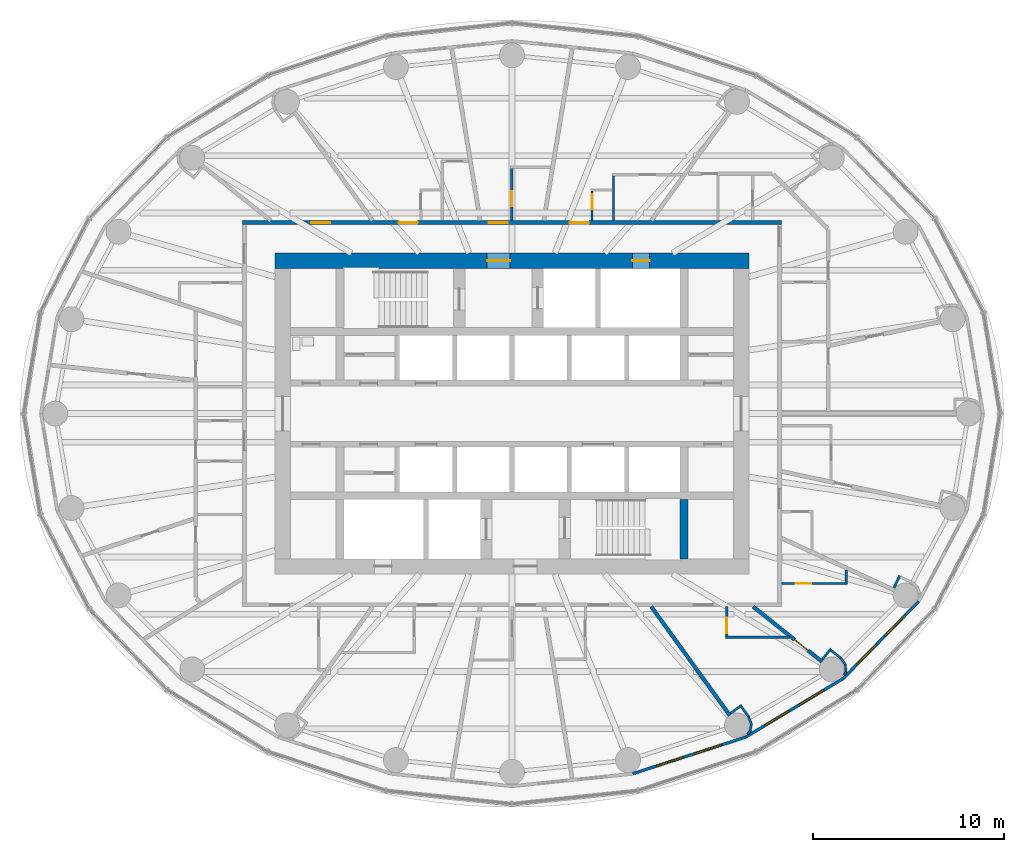
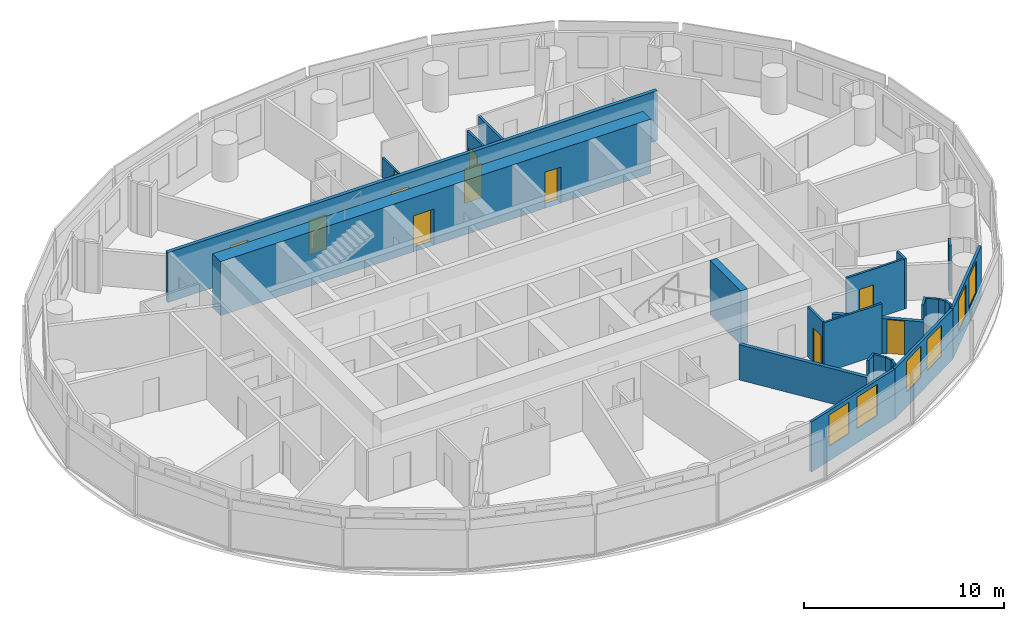
# One storey, part 9 of 14: 26 walls, 11 doors, 6 windows, 17 openings.
"""IFC4 building model written with IfcOpenShell, lengths in metres."""

from ifc_helpers import new_model, si_unit, direction, frame, frame_2d, origin, place, context, subcontext, project, spatial, rectangle, extrude, material, layer, layer_set, type_object, element, fill, save


model = new_model("IFC4")

# Units and contexts
model_context = context("Model", 3, precision=1e-05, world=origin(), true_north=direction((0.0, 1.0)))
body_context = subcontext(model_context, "Body", "Model", "MODEL_VIEW")
ifc_project = project(units=[si_unit("LENGTHUNIT", "METRE"), si_unit("AREAUNIT", "SQUARE_METRE"), si_unit("VOLUMEUNIT", "CUBIC_METRE"), si_unit("PLANEANGLEUNIT", "RADIAN"), si_unit("MASSUNIT", "GRAM", prefix="KILO")], contexts=[model_context])

# Site, building, storey
site_placement = place(None, origin())
site = spatial("IfcSite", under=ifc_project, at=site_placement, CompositionType="ELEMENT")
building_placement = place(site_placement, origin())
building = spatial("IfcBuilding", under=site, at=building_placement, Name="Hankou Lantern Tower", CompositionType="ELEMENT")
storey_placement = place(building_placement, frame((0.0, 0.0, 135.300048828125)))
storey = spatial("IfcBuildingStorey", under=building, at=storey_placement, Name="L35", CompositionType="ELEMENT", Elevation=135.300048828125)

# Wall, openings, doors
ifc_material_1 = material(Name="Concrete C60", Category="concrete")
ifc_layer_1 = layer(ifc_material_1, 0.800048828125)
ifc_layer_set_1 = layer_set([ifc_layer_1], Name="Concrete C60")
wall_type_1 = type_object("IfcWallType", Name="CW2 CORE WALL 800", PredefinedType="SHEAR", material=ifc_layer_set_1)
wall_1_placement = place(storey_placement, frame((-12.39990234375, 8.0, 0.0), z_axis=(0.0, 0.0, 1.0), x_axis=(1.0, 0.0, 0.0)))
wall_1 = element("IfcWall", 1, at=wall_1_placement, inside=storey, type_object=wall_type_1, Name="Core wall north L35", PredefinedType="SHEAR", context=body_context, shape_type="SweptSolid", body=[
    extrude(rectangle(XDim=24.7998046875, YDim=0.800048828125, at=frame_2d((12.39990234375, 0.0))), origin(), (0.0, 0.0, 1.0), 3.300048828125),
])
opening_1_placement = place(wall_1_placement, frame((11.10009765625, 0.0, 0.0)))
opening_1 = element("IfcOpeningElement", 2, at=opening_1_placement, cuts=wall_1, Name="Opening D5", PredefinedType="OPENING", context=body_context, shape_type="SweptSolid", body=[
    extrude(rectangle(XDim=1.199951171875, YDim=2.199951171875, at=frame_2d((0.60009765625, 1.10009765625))), frame((0.0, 0.409912109375, 0.0), z_axis=(0.0, -1.0, 0.0), x_axis=(1.0, 0.0, 0.0)), (0.0, 0.0, 1.0), 0.820068359375),
])
opening_2_placement = place(wall_1_placement, frame((18.699951171875, 0.0, 0.0)))
opening_2 = element("IfcOpeningElement", 3, at=opening_2_placement, cuts=wall_1, Name="Opening D7", PredefinedType="OPENING", context=body_context, shape_type="SweptSolid", body=[
    extrude(rectangle(XDim=0.89990234375, YDim=2.199951171875, at=frame_2d((0.449951171875, 1.10009765625))), frame((0.0, 0.409912109375, 0.0), z_axis=(0.0, -1.0, 0.0), x_axis=(1.0, 0.0, 0.0)), (0.0, 0.0, 1.0), 0.820068359375),
])
ifc_material_2 = material(Name="Steel door leaf", Category="steel")
door_type_1 = type_object("IfcDoorType", Name="D5 STAIR LOBBY DOOR 1200X2200", OperationType="SINGLE_SWING_LEFT", PredefinedType="DOOR", material=ifc_material_2)
door_1_placement = place(opening_1_placement, origin())
door_1 = element("IfcDoor", 4, at=door_1_placement, inside=storey, type_object=door_type_1, Name="Stair A lobby door", OperationType="SINGLE_SWING_LEFT", OverallHeight=2.199951171875, OverallWidth=1.199951171875, PredefinedType="DOOR", context=body_context, shape_type="SweptSolid", body=[
    extrude(rectangle(XDim=1.199951171875, YDim=2.199951171875, at=frame_2d((0.60009765625, 1.10009765625))), frame((0.0, 0.02490234375, 0.0), z_axis=(0.0, -1.0, 0.0), x_axis=(1.0, 0.0, 0.0)), (0.0, 0.0, 1.0), 0.050048828125),
])
fill(opening_1, door_1)
ifc_material_3 = material(Name="Steel door leaf", Category="steel")
door_type_2 = type_object("IfcDoorType", Name="D7 RISER DOOR 900X2200", OperationType="SINGLE_SWING_LEFT", PredefinedType="DOOR", material=ifc_material_3)
door_2_placement = place(opening_2_placement, origin())
door_2 = element("IfcDoor", 5, at=door_2_placement, inside=storey, type_object=door_type_2, Name="Riser N1 door", OperationType="SINGLE_SWING_RIGHT", OverallHeight=2.199951171875, OverallWidth=0.89990234375, PredefinedType="DOOR", context=body_context, shape_type="SweptSolid", body=[
    extrude(rectangle(XDim=0.89990234375, YDim=2.199951171875, at=frame_2d((0.449951171875, 1.10009765625))), frame((0.0, 0.02490234375, 0.0), z_axis=(0.0, -1.0, 0.0), x_axis=(1.0, 0.0, 0.0)), (0.0, 0.0, 1.0), 0.050048828125),
])
fill(opening_2, door_2)

# Wall
ifc_material_4 = material(Name="Concrete C60", Category="concrete")
ifc_layer_2 = layer(ifc_material_4, 0.39990234375)
ifc_layer_set_2 = layer_set([ifc_layer_2], Name="Concrete C60")
wall_type_2 = type_object("IfcWallType", Name="CW4 CORE CROSS WALL 400", PredefinedType="SHEAR", material=ifc_layer_set_2)
wall_2_placement = place(storey_placement, frame((9.0, -7.60009765625, 0.0), z_axis=(0.0, 0.0, 1.0), x_axis=(0.0, 1.0, 0.0)))
element("IfcWall", 6, at=wall_2_placement, inside=storey, type_object=wall_type_2, Name="Core strip wall L35", PredefinedType="SHEAR", context=body_context, shape_type="SweptSolid", body=[
    extrude(rectangle(XDim=3.10009765625, YDim=0.39990234375, at=frame_2d((1.550048828125, 0.0))), origin(), (0.0, 0.0, 1.0), 3.300048828125),
])

# Wall, openings, windows
ifc_material_5 = material(Name="Aluminium spandrel panel on steel studs", Category="steel")
ifc_layer_3 = layer(ifc_material_5, 0.14990234375)
ifc_layer_set_3 = layer_set([ifc_layer_3], Name="Aluminium spandrel panel on steel studs")
wall_type_3 = type_object("IfcWallType", Name="EW1 INNER SKIN WALL 150", PredefinedType="ELEMENTEDWALL", material=ifc_layer_set_3)
wall_3_placement = place(storey_placement, frame((6.3134765625, -18.849609375, 0.0), z_axis=(0.0, 0.0, 1.0), x_axis=(0.951272691506, 0.308350881944, 0.0)))
wall_3 = element("IfcWall", 7, at=wall_3_placement, inside=storey, type_object=wall_type_3, Name="Inner skin R20-R21 L35", PredefinedType="ELEMENTEDWALL", context=body_context, shape_type="SweptSolid", body=[
    extrude(rectangle(XDim=6.210693359375, YDim=0.14990234375, at=frame_2d((3.10546875, 0.0))), origin(), (0.0, 0.0, 1.0), 3.050048828125),
])
opening_3_placement = place(wall_3_placement, frame((1.305419921875, 0.0, 0.89990234375)))
opening_3 = element("IfcOpeningElement", 8, at=opening_3_placement, cuts=wall_3, Name="Opening W2", PredefinedType="OPENING", context=body_context, shape_type="SweptSolid", body=[
    extrude(rectangle(XDim=1.5, YDim=1.89990234375, at=frame_2d((0.75, 0.949951171875))), frame((0.0, 0.0849609375, 0.0), z_axis=(0.0, -1.0, 0.0), x_axis=(1.0, 0.0, 0.0)), (0.0, 0.0, 1.0), 0.169921875),
])
opening_4_placement = place(wall_3_placement, frame((3.4052734375, 0.0, 0.89990234375)))
opening_4 = element("IfcOpeningElement", 9, at=opening_4_placement, cuts=wall_3, Name="Opening W2", PredefinedType="OPENING", context=body_context, shape_type="SweptSolid", body=[
    extrude(rectangle(XDim=1.5, YDim=1.89990234375, at=frame_2d((0.75, 0.949951171875))), frame((0.0, 0.0849609375, 0.0), z_axis=(0.0, -1.0, 0.0), x_axis=(1.0, 0.0, 0.0)), (0.0, 0.0, 1.0), 0.169921875),
])
ifc_material_6 = material(Name="Aluminium framed double glazed window", Category="aluminium")
window_type = type_object("IfcWindowType", Name="W2 GUEST ROOM WINDOW 1500X1900", PartitioningType="DOUBLE_PANEL_VERTICAL", PredefinedType="WINDOW", material=ifc_material_6)
window_1_placement = place(opening_3_placement, origin())
window_1 = element("IfcWindow", 10, at=window_1_placement, inside=storey, type_object=window_type, Name="Window R20.1 L35", OverallHeight=1.89990234375, OverallWidth=1.5, PartitioningType="SINGLE_PANEL", PredefinedType="WINDOW", context=body_context, shape_type="SweptSolid", body=[
    extrude(rectangle(XDim=1.5, YDim=1.89990234375, at=frame_2d((0.75, 0.949951171875))), frame((0.0, 0.030029296875, 0.0), z_axis=(0.0, -1.0, 0.0), x_axis=(1.0, 0.0, 0.0)), (0.0, 0.0, 1.0), 0.06005859375),
])
fill(opening_3, window_1)
window_2_placement = place(opening_4_placement, origin())
window_2 = element("IfcWindow", 11, at=window_2_placement, inside=storey, type_object=window_type, Name="Window R20.2 L35", OverallHeight=1.89990234375, OverallWidth=1.5, PartitioningType="SINGLE_PANEL", PredefinedType="WINDOW", context=body_context, shape_type="SweptSolid", body=[
    extrude(rectangle(XDim=1.5, YDim=1.89990234375, at=frame_2d((0.75, 0.949951171875))), frame((0.0, 0.030029296875, 0.0), z_axis=(0.0, -1.0, 0.0), x_axis=(1.0, 0.0, 0.0)), (0.0, 0.0, 1.0), 0.06005859375),
])
fill(opening_4, window_2)

wall_4_placement = place(storey_placement, frame((12.221435546875, -16.9345703125, 0.0), z_axis=(0.0, 0.0, 1.0), x_axis=(0.857308573723, 0.514802884044, 0.0)))
wall_4 = element("IfcWall", 12, at=wall_4_placement, inside=storey, type_object=wall_type_3, Name="Inner skin R21-R22 L35", PredefinedType="ELEMENTEDWALL", context=body_context, shape_type="SweptSolid", body=[
    extrude(rectangle(XDim=5.961181640625, YDim=0.14990234375, at=frame_2d((2.98046875, 0.0))), origin(), (0.0, 0.0, 1.0), 3.050048828125),
])
opening_5_placement = place(wall_4_placement, frame((1.1806640625, 0.0, 0.89990234375)))
opening_5 = element("IfcOpeningElement", 13, at=opening_5_placement, cuts=wall_4, Name="Opening W2", PredefinedType="OPENING", context=body_context, shape_type="SweptSolid", body=[
    extrude(rectangle(XDim=1.5, YDim=1.89990234375, at=frame_2d((0.75, 0.949951171875))), frame((0.0, 0.0849609375, 0.0), z_axis=(0.0, -1.0, 0.0), x_axis=(1.0, 0.0, 0.0)), (0.0, 0.0, 1.0), 0.169921875),
])
opening_6_placement = place(wall_4_placement, frame((3.280517578125, 0.0, 0.89990234375)))
opening_6 = element("IfcOpeningElement", 14, at=opening_6_placement, cuts=wall_4, Name="Opening W2", PredefinedType="OPENING", context=body_context, shape_type="SweptSolid", body=[
    extrude(rectangle(XDim=1.5, YDim=1.89990234375, at=frame_2d((0.75, 0.949951171875))), frame((0.0, 0.0849609375, 0.0), z_axis=(0.0, -1.0, 0.0), x_axis=(1.0, 0.0, 0.0)), (0.0, 0.0, 1.0), 0.169921875),
])
window_3_placement = place(opening_5_placement, origin())
window_3 = element("IfcWindow", 15, at=window_3_placement, inside=storey, type_object=window_type, Name="Window R21.1 L35", OverallHeight=1.89990234375, OverallWidth=1.5, PartitioningType="SINGLE_PANEL", PredefinedType="WINDOW", context=body_context, shape_type="SweptSolid", body=[
    extrude(rectangle(XDim=1.5, YDim=1.89990234375, at=frame_2d((0.75, 0.949951171875))), frame((0.0, 0.030029296875, 0.0), z_axis=(0.0, -1.0, 0.0), x_axis=(1.0, 0.0, 0.0)), (0.0, 0.0, 1.0), 0.06005859375),
])
fill(opening_5, window_3)
window_4_placement = place(opening_6_placement, origin())
window_4 = element("IfcWindow", 16, at=window_4_placement, inside=storey, type_object=window_type, Name="Window R21.2 L35", OverallHeight=1.89990234375, OverallWidth=1.5, PartitioningType="SINGLE_PANEL", PredefinedType="WINDOW", context=body_context, shape_type="SweptSolid", body=[
    extrude(rectangle(XDim=1.5, YDim=1.89990234375, at=frame_2d((0.75, 0.949951171875))), frame((0.0, 0.030029296875, 0.0), z_axis=(0.0, -1.0, 0.0), x_axis=(1.0, 0.0, 0.0)), (0.0, 0.0, 1.0), 0.06005859375),
])
fill(opening_6, window_4)

wall_5_placement = place(storey_placement, frame((17.33203125, -13.86572265625, 0.0), z_axis=(0.0, 0.0, 1.0), x_axis=(0.700136650834, 0.714008872605, 0.0)))
wall_5 = element("IfcWall", 17, at=wall_5_placement, inside=storey, type_object=wall_type_3, Name="Inner skin R22-R23 L35", PredefinedType="ELEMENTEDWALL", context=body_context, shape_type="SweptSolid", body=[
    extrude(rectangle(XDim=5.6494140625, YDim=0.14990234375, at=frame_2d((2.82470703125, 0.0))), origin(), (0.0, 0.0, 1.0), 3.050048828125),
])
opening_7_placement = place(wall_5_placement, frame((1.024658203125, 0.0, 0.89990234375)))
opening_7 = element("IfcOpeningElement", 18, at=opening_7_placement, cuts=wall_5, Name="Opening W2", PredefinedType="OPENING", context=body_context, shape_type="SweptSolid", body=[
    extrude(rectangle(XDim=1.5, YDim=1.89990234375, at=frame_2d((0.75, 0.949951171875))), frame((0.0, 0.0849609375, 0.0), z_axis=(0.0, -1.0, 0.0), x_axis=(1.0, 0.0, 0.0)), (0.0, 0.0, 1.0), 0.169921875),
])
opening_8_placement = place(wall_5_placement, frame((3.12451171875, 0.0, 0.89990234375)))
opening_8 = element("IfcOpeningElement", 19, at=opening_8_placement, cuts=wall_5, Name="Opening W2", PredefinedType="OPENING", context=body_context, shape_type="SweptSolid", body=[
    extrude(rectangle(XDim=1.5, YDim=1.89990234375, at=frame_2d((0.75, 0.949951171875))), frame((0.0, 0.0849609375, 0.0), z_axis=(0.0, -1.0, 0.0), x_axis=(1.0, 0.0, 0.0)), (0.0, 0.0, 1.0), 0.169921875),
])
window_5_placement = place(opening_7_placement, origin())
window_5 = element("IfcWindow", 20, at=window_5_placement, inside=storey, type_object=window_type, Name="Window R22.1 L35", OverallHeight=1.89990234375, OverallWidth=1.5, PartitioningType="SINGLE_PANEL", PredefinedType="WINDOW", context=body_context, shape_type="SweptSolid", body=[
    extrude(rectangle(XDim=1.5, YDim=1.89990234375, at=frame_2d((0.75, 0.949951171875))), frame((0.0, 0.030029296875, 0.0), z_axis=(0.0, -1.0, 0.0), x_axis=(1.0, 0.0, 0.0)), (0.0, 0.0, 1.0), 0.06005859375),
])
fill(opening_7, window_5)
window_6_placement = place(opening_8_placement, origin())
window_6 = element("IfcWindow", 21, at=window_6_placement, inside=storey, type_object=window_type, Name="Window R22.2 L35", OverallHeight=1.89990234375, OverallWidth=1.5, PartitioningType="SINGLE_PANEL", PredefinedType="WINDOW", context=body_context, shape_type="SweptSolid", body=[
    extrude(rectangle(XDim=1.5, YDim=1.89990234375, at=frame_2d((0.75, 0.949951171875))), frame((0.0, 0.030029296875, 0.0), z_axis=(0.0, -1.0, 0.0), x_axis=(1.0, 0.0, 0.0)), (0.0, 0.0, 1.0), 0.06005859375),
])
fill(opening_8, window_6)

# Wall
ifc_material_7 = material(Name="Masonry lightweight concrete block", Category="masonry")
ifc_layer_4 = layer(ifc_material_7, 0.199951171875)
ifc_layer_set_4 = layer_set([ifc_layer_4], Name="Masonry lightweight concrete block")
wall_type_4 = type_object("IfcWallType", Name="IW1 GUEST ROOM PARTY WALL 200", PredefinedType="PARTITIONING", material=ifc_layer_set_4)
wall_6_placement = place(storey_placement, frame((7.2890625, -10.10009765625, 0.0), z_axis=(0.0, 0.0, 1.0), x_axis=(0.585217367024, -0.81087645997, 0.0)))
element("IfcWall", 22, at=wall_6_placement, inside=storey, type_object=wall_type_4, Name="Party wall R21", PredefinedType="PARTITIONING", context=body_context, shape_type="SweptSolid", body=[
    extrude(rectangle(XDim=7.01611328125, YDim=0.199951171875, at=frame_2d((3.508056640625, 0.0))), origin(), (0.0, 0.0, 1.0), 2.14990234375),
])

# Wall, openings, doors
ifc_material_8 = material(Name="Masonry lightweight concrete block", Category="masonry")
ifc_layer_5 = layer(ifc_material_8, 0.199951171875)
ifc_layer_set_5 = layer_set([ifc_layer_5], Name="Masonry lightweight concrete block")
wall_type_5 = type_object("IfcWallType", Name="IW2 CORRIDOR WALL 200", PredefinedType="PARTITIONING", material=ifc_layer_set_5)
wall_7_placement = place(storey_placement, frame((-14.10009765625, 10.0, 0.0), z_axis=(0.0, 0.0, 1.0), x_axis=(1.0, 0.0, 0.0)))
wall_7 = element("IfcWall", 23, at=wall_7_placement, inside=storey, type_object=wall_type_5, Name="Corridor wall north", PredefinedType="PARTITIONING", context=body_context, shape_type="SweptSolid", body=[
    extrude(rectangle(XDim=28.2001953125, YDim=0.199951171875, at=frame_2d((14.10009765625, 0.0))), origin(), (0.0, 0.0, 1.0), 3.050048828125),
])
opening_9_placement = place(wall_7_placement, frame((12.883544921875, 0.0, 0.0)))
opening_9 = element("IfcOpeningElement", 24, at=opening_9_placement, cuts=wall_7, Name="Opening D1", PredefinedType="OPENING", context=body_context, shape_type="SweptSolid", body=[
    extrude(rectangle(XDim=1.0, YDim=2.199951171875, at=frame_2d((0.5, 1.10009765625))), frame((0.0, 0.10986328125, 0.0), z_axis=(0.0, -1.0, 0.0), x_axis=(1.0, 0.0, 0.0)), (0.0, 0.0, 1.0), 0.219970703125),
])
opening_10_placement = place(wall_7_placement, frame((8.163818359375, 0.0, 0.0)))
opening_10 = element("IfcOpeningElement", 25, at=opening_10_placement, cuts=wall_7, Name="Opening D32", PredefinedType="OPENING", context=body_context, shape_type="SweptSolid", body=[
    extrude(rectangle(XDim=1.0, YDim=2.10009765625, at=frame_2d((0.5, 1.050048828125))), frame((0.0, 0.10986328125, 0.0), z_axis=(0.0, -1.0, 0.0), x_axis=(1.0, 0.0, 0.0)), (0.0, 0.0, 1.0), 0.219970703125),
])
opening_11_placement = place(wall_7_placement, frame((3.591064453125, 0.0, 0.0)))
opening_11 = element("IfcOpeningElement", 26, at=opening_11_placement, cuts=wall_7, Name="Opening D28", PredefinedType="OPENING", context=body_context, shape_type="SweptSolid", body=[
    extrude(rectangle(XDim=1.0, YDim=2.199951171875, at=frame_2d((0.5, 1.10009765625))), frame((0.0, 0.10986328125, 0.0), z_axis=(0.0, -1.0, 0.0), x_axis=(1.0, 0.0, 0.0)), (0.0, 0.0, 1.0), 0.219970703125),
])
opening_12_placement = place(wall_7_placement, frame((17.119873046875, 0.0, 0.0)))
opening_12 = element("IfcOpeningElement", 27, at=opening_12_placement, cuts=wall_7, Name="Opening D32", PredefinedType="OPENING", context=body_context, shape_type="SweptSolid", body=[
    extrude(rectangle(XDim=1.0, YDim=2.10009765625, at=frame_2d((0.5, 1.050048828125))), frame((0.0, 0.10986328125, 0.0), z_axis=(0.0, -1.0, 0.0), x_axis=(1.0, 0.0, 0.0)), (0.0, 0.0, 1.0), 0.219970703125),
])
ifc_material_9 = material(Name="Steel door leaf", Category="steel")
door_type_3 = type_object("IfcDoorType", Name="D1 GUEST ROOM DOOR 1000X2200", OperationType="SINGLE_SWING_LEFT", PredefinedType="DOOR", material=ifc_material_9)
door_3_placement = place(opening_9_placement, origin())
door_3 = element("IfcDoor", 28, at=door_3_placement, inside=storey, type_object=door_type_3, Name="Guest room door 3501", OperationType="SINGLE_SWING_RIGHT", OverallHeight=2.199951171875, OverallWidth=1.0, PredefinedType="DOOR", context=body_context, shape_type="SweptSolid", body=[
    extrude(rectangle(XDim=1.0, YDim=2.199951171875, at=frame_2d((0.5, 1.10009765625))), frame((0.0, 0.02490234375, 0.0), z_axis=(0.0, -1.0, 0.0), x_axis=(1.0, 0.0, 0.0)), (0.0, 0.0, 1.0), 0.050048828125),
])
fill(opening_9, door_3)
ifc_material_10 = material(Name="Steel door leaf", Category="steel")
door_type_4 = type_object("IfcDoorType", Name="D28 SERVICE DOOR 1000X2200", OperationType="SINGLE_SWING_LEFT", PredefinedType="DOOR", material=ifc_material_10)
door_4_placement = place(opening_11_placement, origin())
door_4 = element("IfcDoor", 29, at=door_4_placement, inside=storey, type_object=door_type_4, Name="Service door 3503", OperationType="SINGLE_SWING_RIGHT", OverallHeight=2.199951171875, OverallWidth=1.0, PredefinedType="DOOR", context=body_context, shape_type="SweptSolid", body=[
    extrude(rectangle(XDim=1.0, YDim=2.199951171875, at=frame_2d((0.5, 1.10009765625))), frame((0.0, 0.02490234375, 0.0), z_axis=(0.0, -1.0, 0.0), x_axis=(1.0, 0.0, 0.0)), (0.0, 0.0, 1.0), 0.050048828125),
])
fill(opening_11, door_4)
ifc_material_11 = material(Name="Steel door leaf", Category="steel")
door_type_5 = type_object("IfcDoorType", Name="D32 GUEST ROOM DOOR 1000X2100", OperationType="SINGLE_SWING_LEFT", PredefinedType="DOOR", material=ifc_material_11)
door_5_placement = place(opening_10_placement, origin())
door_5 = element("IfcDoor", 30, at=door_5_placement, inside=storey, type_object=door_type_5, Name="Guest room door 3502", OperationType="SINGLE_SWING_RIGHT", OverallHeight=2.10009765625, OverallWidth=1.0, PredefinedType="DOOR", context=body_context, shape_type="SweptSolid", body=[
    extrude(rectangle(XDim=1.0, YDim=2.10009765625, at=frame_2d((0.5, 1.050048828125))), frame((0.0, 0.02490234375, 0.0), z_axis=(0.0, -1.0, 0.0), x_axis=(1.0, 0.0, 0.0)), (0.0, 0.0, 1.0), 0.050048828125),
])
fill(opening_10, door_5)
door_6_placement = place(opening_12_placement, origin())
door_6 = element("IfcDoor", 31, at=door_6_placement, inside=storey, type_object=door_type_5, Name="Guest room door 3513", OperationType="SINGLE_SWING_RIGHT", OverallHeight=2.10009765625, OverallWidth=1.0, PredefinedType="DOOR", context=body_context, shape_type="SweptSolid", body=[
    extrude(rectangle(XDim=1.0, YDim=2.10009765625, at=frame_2d((0.5, 1.050048828125))), frame((0.0, 0.02490234375, 0.0), z_axis=(0.0, -1.0, 0.0), x_axis=(1.0, 0.0, 0.0)), (0.0, 0.0, 1.0), 0.050048828125),
])
fill(opening_12, door_6)

# Wall, opening, door
ifc_material_12 = material(Name="Masonry lightweight concrete block", Category="masonry")
ifc_layer_6 = layer(ifc_material_12, 0.1201171875)
ifc_layer_set_6 = layer_set([ifc_layer_6], Name="Masonry lightweight concrete block")
wall_type_6 = type_object("IfcWallType", Name="IW3 BATHROOM WALL 120", PredefinedType="PARTITIONING", material=ifc_layer_set_6)
wall_8_placement = place(storey_placement, frame((-0.014892578125, 10.10009765625, 0.0), z_axis=(0.0, 0.0, 1.0), x_axis=(0.0, 1.0, 0.0)))
wall_8 = element("IfcWall", 32, at=wall_8_placement, inside=storey, type_object=wall_type_6, Name="Box wall 3501 1", PredefinedType="PARTITIONING", context=body_context, shape_type="SweptSolid", body=[
    extrude(rectangle(XDim=2.739990234375, YDim=0.1201171875, at=frame_2d((1.3701171875, 0.0))), origin(), (0.0, 0.0, 1.0), 2.14990234375),
])
opening_13_placement = place(wall_8_placement, frame((0.75, 0.0, 0.0)))
opening_13 = element("IfcOpeningElement", 33, at=opening_13_placement, cuts=wall_8, Name="Opening D3", PredefinedType="OPENING", context=body_context, shape_type="SweptSolid", body=[
    extrude(rectangle(XDim=0.800048828125, YDim=2.10009765625, at=frame_2d((0.39990234375, 1.050048828125))), frame((0.0, 0.070068359375, 0.0), z_axis=(0.0, -1.0, 0.0), x_axis=(1.0, 0.0, 0.0)), (0.0, 0.0, 1.0), 0.14013671875),
])
ifc_material_13 = material(Name="Timber door leaf", Category="wood")
door_type_6 = type_object("IfcDoorType", Name="D3 BATHROOM DOOR 800X2100", OperationType="SINGLE_SWING_LEFT", PredefinedType="DOOR", material=ifc_material_13)
door_7_placement = place(opening_13_placement, origin())
door_7 = element("IfcDoor", 34, at=door_7_placement, inside=storey, type_object=door_type_6, Name="En-suite bathroom 3501 door", OperationType="SINGLE_SWING_LEFT", OverallHeight=2.10009765625, OverallWidth=0.800048828125, PredefinedType="DOOR", context=body_context, shape_type="SweptSolid", body=[
    extrude(rectangle(XDim=0.800048828125, YDim=2.10009765625, at=frame_2d((0.39990234375, 1.050048828125))), frame((0.0, 0.02490234375, 0.0), z_axis=(0.0, -1.0, 0.0), x_axis=(1.0, 0.0, 0.0)), (0.0, 0.0, 1.0), 0.050048828125),
])
fill(opening_13, door_7)

# Wall
wall_9_placement = place(storey_placement, frame((14.52490234375, -11.699951171875, 0.0), z_axis=(0.0, 0.0, 1.0), x_axis=(-1.0, 0.0, 0.0)))
element("IfcWall", 35, at=wall_9_placement, inside=storey, type_object=wall_type_6, Name="Box wall 3510C 1", PredefinedType="PARTITIONING", context=body_context, shape_type="SweptSolid", body=[
    extrude(rectangle(XDim=3.33984375, YDim=0.1201171875, at=frame_2d((1.669921875, 0.0))), origin(), (0.0, 0.0, 1.0), 3.050048828125),
])

# Wall, opening, door
wall_10_placement = place(storey_placement, frame((11.2451171875, -10.10009765625, 0.0), z_axis=(0.0, 0.0, 1.0), x_axis=(0.0, -1.0, 0.0)))
wall_10 = element("IfcWall", 36, at=wall_10_placement, inside=storey, type_object=wall_type_6, Name="Box wall 3510C 1", PredefinedType="PARTITIONING", context=body_context, shape_type="SweptSolid", body=[
    extrude(rectangle(XDim=1.539794921875, YDim=0.1201171875, at=frame_2d((0.77001953125, 0.0))), origin(), (0.0, 0.0, 1.0), 3.050048828125),
])
opening_14_placement = place(wall_10_placement, frame((0.590087890625, 0.0, 0.0)))
opening_14 = element("IfcOpeningElement", 37, at=opening_14_placement, cuts=wall_10, Name="Opening D3", PredefinedType="OPENING", context=body_context, shape_type="SweptSolid", body=[
    extrude(rectangle(XDim=0.800048828125, YDim=2.10009765625, at=frame_2d((0.39990234375, 1.050048828125))), frame((0.0, 0.070068359375, 0.0), z_axis=(0.0, -1.0, 0.0), x_axis=(1.0, 0.0, 0.0)), (0.0, 0.0, 1.0), 0.14013671875),
])
door_8_placement = place(opening_14_placement, origin())
door_8 = element("IfcDoor", 38, at=door_8_placement, inside=storey, type_object=door_type_6, Name="Suite 3510 guest WC door", OperationType="SINGLE_SWING_RIGHT", OverallHeight=2.10009765625, OverallWidth=0.800048828125, PredefinedType="DOOR", context=body_context, shape_type="SweptSolid", body=[
    extrude(rectangle(XDim=0.800048828125, YDim=2.10009765625, at=frame_2d((0.39990234375, 1.050048828125))), frame((0.0, 0.02490234375, 0.0), z_axis=(0.0, -1.0, 0.0), x_axis=(1.0, 0.0, 0.0)), (0.0, 0.0, 1.0), 0.050048828125),
])
fill(opening_14, door_8)

# Wall
wall_11_placement = place(storey_placement, frame((17.5, -8.182861328125, 0.0), z_axis=(0.0, 0.0, 1.0), x_axis=(0.0, -1.0, 0.0)))
element("IfcWall", 39, at=wall_11_placement, inside=storey, type_object=wall_type_6, Name="Box wall 3510A 1", PredefinedType="PARTITIONING", context=body_context, shape_type="SweptSolid", body=[
    extrude(rectangle(XDim=0.76953125, YDim=0.1201171875, at=frame_2d((0.384765625, 0.0))), origin(), (0.0, 0.0, 1.0), 3.050048828125),
])

# Wall, opening, door
wall_12_placement = place(storey_placement, frame((14.10009765625, -8.892578125, 0.0), z_axis=(0.0, 0.0, 1.0), x_axis=(1.0, 0.0, 0.0)))
wall_12 = element("IfcWall", 40, at=wall_12_placement, inside=storey, type_object=wall_type_6, Name="Box wall 3510A 1", PredefinedType="PARTITIONING", context=body_context, shape_type="SweptSolid", body=[
    extrude(rectangle(XDim=3.33984375, YDim=0.1201171875, at=frame_2d((1.669921875, 0.0))), origin(), (0.0, 0.0, 1.0), 3.050048828125),
])
opening_15_placement = place(wall_12_placement, frame((0.75, 0.0, 0.0)))
opening_15 = element("IfcOpeningElement", 41, at=opening_15_placement, cuts=wall_12, Name="Opening D3", PredefinedType="OPENING", context=body_context, shape_type="SweptSolid", body=[
    extrude(rectangle(XDim=0.800048828125, YDim=2.10009765625, at=frame_2d((0.39990234375, 1.050048828125))), frame((0.0, 0.070068359375, 0.0), z_axis=(0.0, -1.0, 0.0), x_axis=(1.0, 0.0, 0.0)), (0.0, 0.0, 1.0), 0.14013671875),
])
door_9_placement = place(opening_15_placement, origin())
door_9 = element("IfcDoor", 42, at=door_9_placement, inside=storey, type_object=door_type_6, Name="Suite 3510 bathroom door", OperationType="SINGLE_SWING_LEFT", OverallHeight=2.10009765625, OverallWidth=0.800048828125, PredefinedType="DOOR", context=body_context, shape_type="SweptSolid", body=[
    extrude(rectangle(XDim=0.800048828125, YDim=2.10009765625, at=frame_2d((0.39990234375, 1.050048828125))), frame((0.0, 0.02490234375, 0.0), z_axis=(0.0, -1.0, 0.0), x_axis=(1.0, 0.0, 0.0)), (0.0, 0.0, 1.0), 0.050048828125),
])
fill(opening_15, door_9)

# Wall
wall_13_placement = place(storey_placement, frame((5.30908203125, 10.10009765625, 0.0), z_axis=(0.0, 0.0, 1.0), x_axis=(0.0, 1.0, 0.0)))
element("IfcWall", 43, at=wall_13_placement, inside=storey, type_object=wall_type_6, Name="Box wall 3513 1", PredefinedType="PARTITIONING", context=body_context, shape_type="SweptSolid", body=[
    extrude(rectangle(XDim=2.33984375, YDim=0.1201171875, at=frame_2d((1.169921875, 0.0))), origin(), (0.0, 0.0, 1.0), 3.050048828125),
])

# Wall, opening, door
wall_14_placement = place(storey_placement, frame((4.18896484375, 10.10009765625, 0.0), z_axis=(0.0, 0.0, 1.0), x_axis=(0.0, 1.0, 0.0)))
wall_14 = element("IfcWall", 44, at=wall_14_placement, inside=storey, type_object=wall_type_6, Name="Box wall 3513 2", PredefinedType="PARTITIONING", context=body_context, shape_type="SweptSolid", body=[
    extrude(rectangle(XDim=1.539794921875, YDim=0.1201171875, at=frame_2d((0.77001953125, 0.0))), origin(), (0.0, 0.0, 1.0), 3.050048828125),
])
opening_16_placement = place(wall_14_placement, frame((0.590087890625, 0.0, 0.0)))
opening_16 = element("IfcOpeningElement", 45, at=opening_16_placement, cuts=wall_14, Name="Opening D3", PredefinedType="OPENING", context=body_context, shape_type="SweptSolid", body=[
    extrude(rectangle(XDim=0.800048828125, YDim=2.10009765625, at=frame_2d((0.39990234375, 1.050048828125))), frame((0.0, 0.070068359375, 0.0), z_axis=(0.0, -1.0, 0.0), x_axis=(1.0, 0.0, 0.0)), (0.0, 0.0, 1.0), 0.14013671875),
])
door_10_placement = place(opening_16_placement, origin())
door_10 = element("IfcDoor", 46, at=door_10_placement, inside=storey, type_object=door_type_6, Name="En-suite WC 3513 door", OperationType="SINGLE_SWING_LEFT", OverallHeight=2.10009765625, OverallWidth=0.800048828125, PredefinedType="DOOR", context=body_context, shape_type="SweptSolid", body=[
    extrude(rectangle(XDim=0.800048828125, YDim=2.10009765625, at=frame_2d((0.39990234375, 1.050048828125))), frame((0.0, 0.02490234375, 0.0), z_axis=(0.0, -1.0, 0.0), x_axis=(1.0, 0.0, 0.0)), (0.0, 0.0, 1.0), 0.050048828125),
])
fill(opening_16, door_10)

# Walls
ifc_material_14 = material(Name="Masonry lightweight concrete block", Category="masonry")
ifc_layer_7 = layer(ifc_material_14, 0.1201171875)
ifc_layer_set_7 = layer_set([ifc_layer_7], Name="Masonry lightweight concrete block")
wall_type_7 = type_object("IfcWallType", Name="IW4 PARTITION 120", PredefinedType="PARTITIONING", material=ifc_layer_set_7)
wall_15_placement = place(storey_placement, frame((11.44091796875, -15.68212890625, 0.0), z_axis=(0.0, 0.0, 1.0), x_axis=(0.810796141244, 0.585328640461, 0.0)))
element("IfcWall", 47, at=wall_15_placement, inside=storey, type_object=wall_type_7, Name="Column casing R21 return", PredefinedType="PARTITIONING", context=body_context, shape_type="SweptSolid", body=[
    extrude(rectangle(XDim=0.7158203125, YDim=0.1201171875, at=frame_2d((0.35791015625, 0.0))), origin(), (0.0, 0.0, 1.0), 3.050048828125),
])
wall_16_placement = place(storey_placement, frame((12.0078125, -15.346923828125, 0.0), z_axis=(0.0, 0.0, 1.0), x_axis=(0.585175102182, -0.810906961239, 0.0)))
element("IfcWall", 48, at=wall_16_placement, inside=storey, type_object=wall_type_7, Name="Column casing R21", PredefinedType="PARTITIONING", context=body_context, shape_type="SweptSolid", body=[
    extrude(rectangle(XDim=0.64990234375, YDim=0.1201171875, at=frame_2d((0.324951171875, 0.0))), origin(), (0.0, 0.0, 1.0), 3.050048828125),
])
for number, where, z_axis, x_axis, name in (
    (49, (12.38818359375, -15.8740234375, 0.0), (0.0, 0.0, 1.0), (0.355086882425, -0.934833303819, 0.0), "Column casing R21"),
    (50, (12.527099609375, -16.23974609375, 0.0), (0.0, 0.0, 1.0), (-0.159134335894, -0.987256938765, 0.0), "Column casing R21"),
):
    element("IfcWall", number, at=place(storey_placement, frame(where, z_axis=z_axis, x_axis=x_axis)), inside=storey, type_object=wall_type_7, Name=name, PredefinedType="PARTITIONING", context=body_context, shape_type="SweptSolid", body=[
        extrude(rectangle(XDim=0.39111328125, YDim=0.1201171875, at=frame_2d((0.195556640625, 0.0))), origin(), (0.0, 0.0, 1.0), 3.050048828125),
    ])
wall_17_placement = place(storey_placement, frame((12.46484375, -16.6259765625, 0.0), z_axis=(0.0, 0.0, 1.0), x_axis=(-0.631672951162, -0.775234985517, 0.0)))
element("IfcWall", 51, at=wall_17_placement, inside=storey, type_object=wall_type_7, Name="Column casing R21", PredefinedType="PARTITIONING", context=body_context, shape_type="SweptSolid", body=[
    extrude(rectangle(XDim=0.18701171875, YDim=0.1201171875, at=frame_2d((0.093505859375, 0.0))), origin(), (0.0, 0.0, 1.0), 3.050048828125),
])
wall_18_placement = place(storey_placement, frame((16.241943359375, -12.865478515625, 0.0), z_axis=(0.0, 0.0, 1.0), x_axis=(0.624861414622, 0.780735686719, 0.0)))
element("IfcWall", 52, at=wall_18_placement, inside=storey, type_object=wall_type_7, Name="Column casing R22 return", PredefinedType="PARTITIONING", context=body_context, shape_type="SweptSolid", body=[
    extrude(rectangle(XDim=0.7158203125, YDim=0.1201171875, at=frame_2d((0.35791015625, 0.0))), origin(), (0.0, 0.0, 1.0), 3.050048828125),
])
wall_19_placement = place(storey_placement, frame((16.698486328125, -12.390869140625, 0.0), z_axis=(0.0, 0.0, 1.0), x_axis=(0.780722240533, -0.624878214645, 0.0)))
element("IfcWall", 53, at=wall_19_placement, inside=storey, type_object=wall_type_7, Name="Column casing R22", PredefinedType="PARTITIONING", context=body_context, shape_type="SweptSolid", body=[
    extrude(rectangle(XDim=0.650146484375, YDim=0.1201171875, at=frame_2d((0.3251953125, 0.0))), origin(), (0.0, 0.0, 1.0), 3.050048828125),
])
wall_20_placement = place(storey_placement, frame((17.2060546875, -12.797119140625, 0.0), z_axis=(0.0, 0.0, 1.0), x_axis=(0.592986095904, -0.805212698648, 0.0)))
element("IfcWall", 54, at=wall_20_placement, inside=storey, type_object=wall_type_7, Name="Column casing R22", PredefinedType="PARTITIONING", context=body_context, shape_type="SweptSolid", body=[
    extrude(rectangle(XDim=0.39111328125, YDim=0.1201171875, at=frame_2d((0.195556640625, 0.0))), origin(), (0.0, 0.0, 1.0), 3.050048828125),
])
wall_21_placement = place(storey_placement, frame((17.43798828125, -13.112060546875, 0.0), z_axis=(0.0, 0.0, 1.0), x_axis=(0.109815164188, -0.993952025862, 0.0)))
element("IfcWall", 55, at=wall_21_placement, inside=storey, type_object=wall_type_7, Name="Column casing R22", PredefinedType="PARTITIONING", context=body_context, shape_type="SweptSolid", body=[
    extrude(rectangle(XDim=0.391357421875, YDim=0.1201171875, at=frame_2d((0.19580078125, 0.0))), origin(), (0.0, 0.0, 1.0), 3.050048828125),
])
wall_22_placement = place(storey_placement, frame((17.48095703125, -13.5009765625, 0.0), z_axis=(0.0, 0.0, 1.0), x_axis=(-0.401504188288, -0.915857186895, 0.0)))
element("IfcWall", 56, at=wall_22_placement, inside=storey, type_object=wall_type_7, Name="Column casing R22", PredefinedType="PARTITIONING", context=body_context, shape_type="SweptSolid", body=[
    extrude(rectangle(XDim=0.20556640625, YDim=0.1201171875, at=frame_2d((0.102783203125, 0.0))), origin(), (0.0, 0.0, 1.0), 3.050048828125),
])
wall_23_placement = place(storey_placement, frame((19.992919921875, -9.124267578125, 0.0), z_axis=(0.0, 0.0, 1.0), x_axis=(0.419447394118, 0.90777964483, 0.0)))
element("IfcWall", 57, at=wall_23_placement, inside=storey, type_object=wall_type_7, Name="Column casing R23 return", PredefinedType="PARTITIONING", context=body_context, shape_type="SweptSolid", body=[
    extrude(rectangle(XDim=0.7158203125, YDim=0.1201171875, at=frame_2d((0.35791015625, 0.0))), origin(), (0.0, 0.0, 1.0), 3.050048828125),
])

# Wall, opening, door
ifc_material_15 = material(Name="Masonry lightweight concrete block", Category="masonry")
ifc_layer_8 = layer(ifc_material_15, 0.199951171875)
ifc_layer_set_8 = layer_set([ifc_layer_8], Name="Masonry lightweight concrete block")
wall_type_8 = type_object("IfcWallType", Name="IW6 SUITE PARTITION 200", PredefinedType="PARTITIONING", material=ifc_layer_set_8)
wall_24_placement = place(storey_placement, frame((12.625, -10.10009765625, 0.0), z_axis=(0.0, 0.0, 1.0), x_axis=(0.780863644897, -0.624701503182, 0.0)))
wall_24 = element("IfcWall", 58, at=wall_24_placement, inside=storey, type_object=wall_type_8, Name="Suite partition R22", PredefinedType="PARTITIONING", context=body_context, shape_type="SweptSolid", body=[
    extrude(rectangle(XDim=4.612060546875, YDim=0.199951171875, at=frame_2d((2.30615234375, 0.0))), origin(), (0.0, 0.0, 1.0), 2.14990234375),
])
opening_17_placement = place(wall_24_placement, frame((2.77001953125, 0.0, 0.0)))
opening_17 = element("IfcOpeningElement", 59, at=opening_17_placement, cuts=wall_24, Name="Opening D27", PredefinedType="OPENING", context=body_context, shape_type="SweptSolid", body=[
    extrude(rectangle(XDim=0.89990234375, YDim=2.10009765625, at=frame_2d((0.449951171875, 1.050048828125))), frame((0.0, 0.10986328125, 0.0), z_axis=(0.0, -1.0, 0.0), x_axis=(1.0, 0.0, 0.0)), (0.0, 0.0, 1.0), 0.219970703125),
])
ifc_material_16 = material(Name="Timber door leaf", Category="wood")
door_type_7 = type_object("IfcDoorType", Name="D27 INTERNAL DOOR 900X2100", OperationType="SINGLE_SWING_LEFT", PredefinedType="DOOR", material=ifc_material_16)
door_11_placement = place(opening_17_placement, origin())
door_11 = element("IfcDoor", 60, at=door_11_placement, inside=storey, type_object=door_type_7, Name="Suite 3510 bedroom door", OperationType="SINGLE_SWING_RIGHT", OverallHeight=2.10009765625, OverallWidth=0.89990234375, PredefinedType="DOOR", context=body_context, shape_type="SweptSolid", body=[
    extrude(rectangle(XDim=0.89990234375, YDim=2.10009765625, at=frame_2d((0.449951171875, 1.050048828125))), frame((0.0, 0.02490234375, 0.0), z_axis=(0.0, -1.0, 0.0), x_axis=(1.0, 0.0, 0.0)), (0.0, 0.0, 1.0), 0.050048828125),
])
fill(opening_17, door_11)

save(model, "model.ifc")
